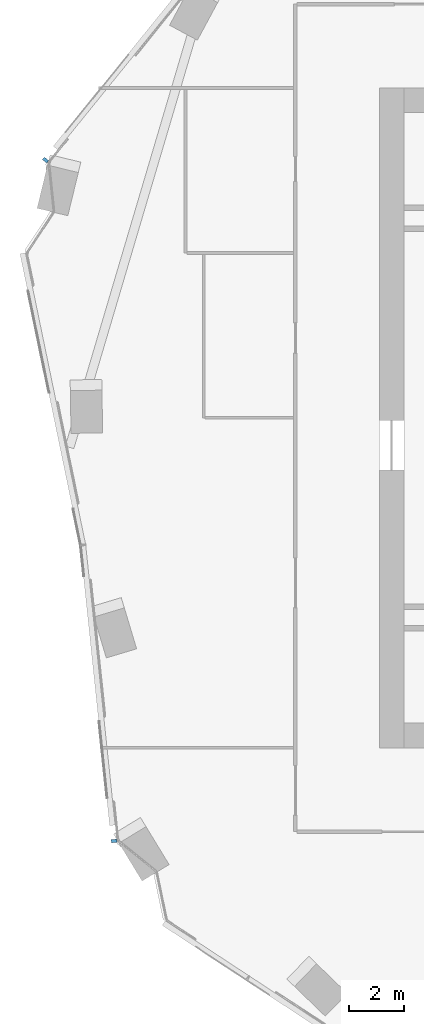
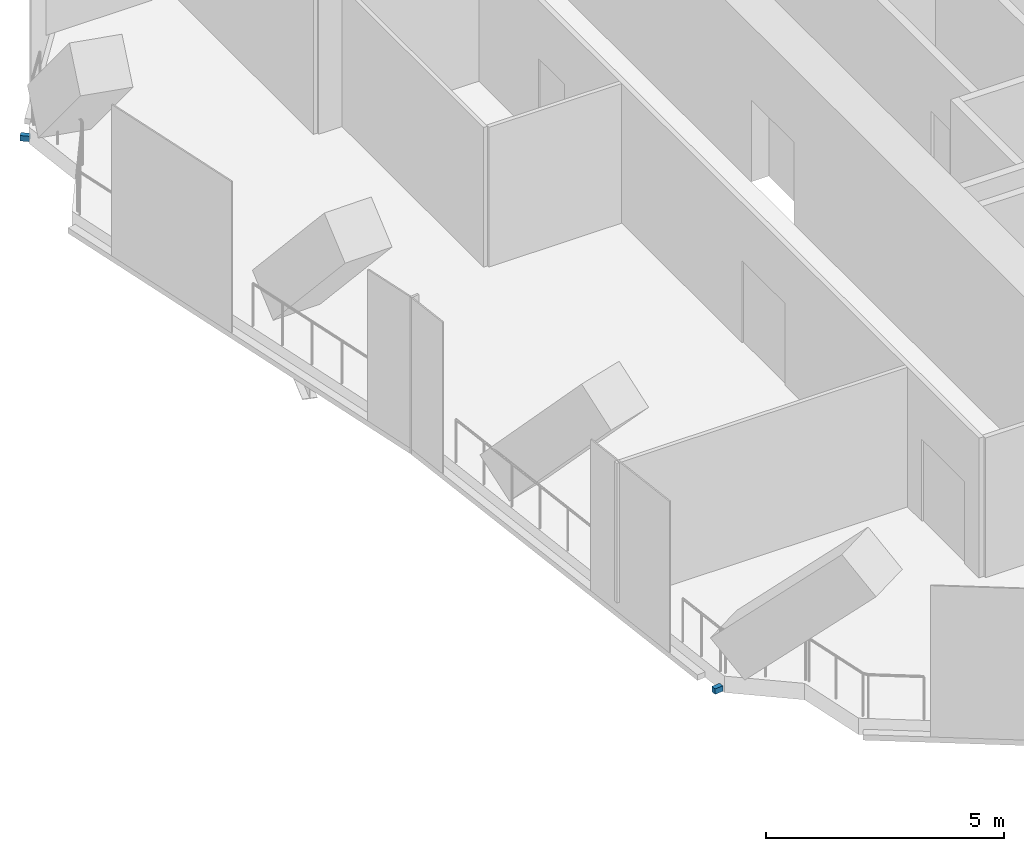
# One storey, part 12 of 26: 2 members, 2 elements without a shape of their own.
"""IFC4 building model written with IfcOpenShell, lengths in metres."""

import ifcopenshell
import ifcopenshell.guid

model = None  # the IFC model being written
_history = None  # IfcOwnerHistory: only IFC2X3 demands one
_inside = {}  # id of a spatial element -> (the spatial element, [elements in it])
_under = {}  # id of a project, library or spatial element -> (it, [spatial elements below it])
_declared = {}  # id of a project -> (the project, [libraries it declares])
_typed = {}  # id of a type object -> (the type object, [elements of that type])
_made_of = {}  # id of a material, layer set ... -> (it, [elements and type objects made of it])


def new_model(schema):
    """Start an empty IFC model of exactly this schema.

    Asked for "IFC4X3", IfcOpenShell would pick the latest addendum, in which some entities
    have other attributes; the version numbers below select the first issue.
    IFC2X3 requires an IfcOwnerHistory on every rooted entity: one is made here for all.
    """
    global model, _history
    if schema == "IFC4X3":
        model = ifcopenshell.file(schema_version=(4, 3, 0, 0))
    else:
        model = ifcopenshell.file(schema=schema)
    _inside.clear()
    _under.clear()
    _declared.clear()
    _typed.clear()
    _made_of.clear()
    _history = None
    if model.schema == "IFC2X3":
        org = make("IfcOrganization", Name="unknown")
        user = make(
            "IfcPersonAndOrganization",
            ThePerson=make("IfcPerson", FamilyName="unknown"),
            TheOrganization=org,
        )
        app = make(
            "IfcApplication",
            ApplicationDeveloper=org,
            Version="unknown",
            ApplicationFullName="unknown",
            ApplicationIdentifier="unknown",
        )
        _history = make(
            "IfcOwnerHistory",
            OwningUser=user,
            OwningApplication=app,
            ChangeAction="ADDED",
            CreationDate=0,
        )
    return model


def make(cls, **values):
    """One entity of the class cls with the attributes given. An attribute that is None is left unset."""
    return model.create_entity(
        cls, **{name: value for name, value in values.items() if value is not None}
    )


def rooted(cls, **values):
    """An entity with a GlobalId (a new one), such as an element, a storey or a relation."""
    return make(cls, GlobalId=ifcopenshell.guid.new(), OwnerHistory=_history, **values)


def si_unit(unit_type, name, prefix=None):
    """IfcSIUnit, for example si_unit("LENGTHUNIT", "METRE", prefix="MILLI")."""
    return make("IfcSIUnit", UnitType=unit_type, Prefix=prefix, Name=name)


def assignment(units):
    """IfcUnitAssignment: the units of a project."""
    return None if units is None else make("IfcUnitAssignment", Units=units)


def point(xyz):
    """IfcCartesianPoint."""
    return None if xyz is None else make("IfcCartesianPoint", Coordinates=xyz)


def direction(xyz):
    """IfcDirection."""
    return None if xyz is None else make("IfcDirection", DirectionRatios=xyz)


def frame(location, z_axis=None, x_axis=None):
    """IfcAxis2Placement3D, a coordinate frame: its origin and axes. An axis left out is left unset."""
    return make(
        "IfcAxis2Placement3D",
        Location=point(location),
        Axis=direction(z_axis),
        RefDirection=direction(x_axis),
    )


def frame_2d(location, x_axis=None):
    """IfcAxis2Placement2D, a coordinate frame in the plane: its origin and x axis."""
    return make(
        "IfcAxis2Placement2D", Location=point(location), RefDirection=direction(x_axis)
    )


def origin():
    """The frame at (0, 0, 0) with its axes left unset."""
    return frame((0.0, 0.0, 0.0))


def origin_2d():
    """The frame at (0, 0) in the plane with its x axis left unset."""
    return frame_2d((0.0, 0.0))


def place(relative_to, where):
    """IfcLocalPlacement: puts the frame where relative to a parent placement (None: the world)."""
    return make(
        "IfcLocalPlacement", PlacementRelTo=relative_to, RelativePlacement=where
    )


def context(
    kind, dimensions, precision=None, world=None, true_north=None, identifier=None
):
    """IfcGeometricRepresentationContext, for example the 3D "Model" context."""
    return make(
        "IfcGeometricRepresentationContext",
        ContextIdentifier=identifier,
        ContextType=kind,
        CoordinateSpaceDimension=dimensions,
        Precision=precision,
        WorldCoordinateSystem=world,
        TrueNorth=true_north,
    )


def subcontext(parent, identifier, kind, view, scale=None):
    """IfcGeometricRepresentationSubContext, for example "Body" below "Model"."""
    return make(
        "IfcGeometricRepresentationSubContext",
        ContextIdentifier=identifier,
        ContextType=kind,
        ParentContext=parent,
        TargetScale=scale,
        TargetView=view,
    )


def project(units=None, contexts=None):
    """IfcProject with its units and contexts."""
    return rooted(
        "IfcProject",
        Name="project",
        RepresentationContexts=contexts,
        UnitsInContext=assignment(units),
    )


def spatial(cls, under=None, at=None, **own):
    """A site, building, storey or space (cls), placed at a placement, below another one or the project."""
    s = rooted(cls, ObjectPlacement=at, **own)
    if under is not None:
        _under.setdefault(under.id(), (under, []))[1].append(s)
    return s


def profile(cls, at=None, kind="AREA", **sizes):
    """A parametric profile (cls). Its sizes go by their IFC names, for example OverallWidth=200.0."""
    return make(cls, ProfileType=kind, Position=at, **sizes)


def rectangle(**sizes):
    """IfcRectangleProfileDef."""
    return profile("IfcRectangleProfileDef", **sizes)


def extrude(swept, where, along, depth):
    """IfcExtrudedAreaSolid: the profile swept, set in the frame where, extruded along a direction by depth."""
    return make(
        "IfcExtrudedAreaSolid",
        SweptArea=swept,
        Position=where,
        ExtrudedDirection=direction(along),
        Depth=depth,
    )


def shape(context_of_items, identifier, shape_type, items):
    """IfcShapeRepresentation: the items that make up one representation, for example the "Body"."""
    return make(
        "IfcShapeRepresentation",
        ContextOfItems=context_of_items,
        RepresentationIdentifier=identifier,
        RepresentationType=shape_type,
        Items=items,
    )


def material(Name=None, Category=None):
    """IfcMaterial."""
    return make("IfcMaterial", Name=Name, Category=Category)


def material_profile(
    of_material, cross_section, Name=None, Category=None, Priority=None
):
    """IfcMaterialProfile: a cross section and its material."""
    return make(
        "IfcMaterialProfile",
        Name=Name,
        Material=of_material,
        Profile=cross_section,
        Priority=Priority,
        Category=Category,
    )


def profile_set(profiles, Name=None, composite=None):
    """IfcMaterialProfileSet."""
    return make(
        "IfcMaterialProfileSet",
        Name=Name,
        MaterialProfiles=profiles,
        CompositeProfile=composite,
    )


def made_of(thing, what):
    """Note that an element or type object is made of a material, layer set ...; save() writes the relation."""
    if what is not None:
        _made_of.setdefault(what.id(), (what, []))[1].append(thing)
    return thing


def type_object(cls, material=None, **own):
    """A type object (cls), such as IfcWallType, which elements share."""
    return made_of(rooted(cls, **own), material)


def element(
    cls,
    number,
    at=None,
    inside=None,
    cuts=None,
    type_object=None,
    material=None,
    context=None,
    identifier="Body",
    shape_type=None,
    held_by="IfcProductDefinitionShape",
    body=None,
    shapes=None,
    **own,
):
    """One element of the class cls, such as IfcWall. Its Tag is "e" and its number.

    at: its placement. inside: the storey or other place that contains it. cuts: it is an
    opening in that element (IfcRelVoidsElement). A single representation is given by context,
    identifier, shape_type and body (its items); several are given by shapes. held_by: the class
    of the entity that holds the representations. save() writes the other relations.
    """
    e = rooted(cls, Tag="e%d" % number, ObjectPlacement=at, **own)
    if body is not None:
        shapes = [shape(context, identifier, shape_type, body)]
    if shapes is not None:
        e.Representation = make(held_by, Representations=shapes)
    if inside is not None:
        _inside.setdefault(inside.id(), (inside, []))[1].append(e)
    if cuts is not None:
        rooted(
            "IfcRelVoidsElement", RelatingBuildingElement=cuts, RelatedOpeningElement=e
        )
    if type_object is not None:
        _typed.setdefault(type_object.id(), (type_object, []))[1].append(e)
    return made_of(e, material)


def aggregate(whole, parts):
    """IfcRelAggregates: a whole, such as a stair, and the parts it consists of."""
    return rooted("IfcRelAggregates", RelatingObject=whole, RelatedObjects=parts)


def save(model, path):
    """Write the relations noted so far, then the file.

    IfcRelAggregates (storeys below a building ...), IfcRelContainedInSpatialStructure (elements
    in a storey), IfcRelDefinesByType, IfcRelAssociatesMaterial and IfcRelDeclares: one each for
    every whole, place, type object, material and project.
    """
    for whole, parts in _under.values():
        aggregate(whole, parts)
    for where, things in _inside.values():
        rooted(
            "IfcRelContainedInSpatialStructure",
            RelatedElements=things,
            RelatingStructure=where,
        )
    for kind, things in _typed.values():
        rooted("IfcRelDefinesByType", RelatedObjects=things, RelatingType=kind)
    for what, things in _made_of.values():
        rooted("IfcRelAssociatesMaterial", RelatedObjects=things, RelatingMaterial=what)
    for by, libraries in _declared.values():
        rooted("IfcRelDeclares", RelatingContext=by, RelatedDefinitions=libraries)
    model.write(path)


model = new_model("IFC4")

# Units and contexts
model_context = context("Model", 3, precision=1e-05, world=origin(), true_north=direction((0.0, 1.0)))
body_context = subcontext(model_context, "Body", "Model", "MODEL_VIEW")
ifc_project = project(units=[si_unit("LENGTHUNIT", "METRE"), si_unit("AREAUNIT", "SQUARE_METRE"), si_unit("VOLUMEUNIT", "CUBIC_METRE"), si_unit("PLANEANGLEUNIT", "RADIAN"), si_unit("MASSUNIT", "GRAM", prefix="KILO")], contexts=[model_context])

# Site, building, storey
site_placement = place(None, origin())
site = spatial("IfcSite", under=ifc_project, at=site_placement, CompositionType="ELEMENT")
building_placement = place(site_placement, origin())
building = spatial("IfcBuilding", under=site, at=building_placement, Name="Orlundy Tower", CompositionType="ELEMENT")
storey_placement = place(building_placement, frame((0.0, 0.0, 228.0)))
storey = spatial("IfcBuildingStorey", under=building, at=storey_placement, Name="L60", CompositionType="ELEMENT", Elevation=228.0)

# Curtain wall, member
ifc_material_1 = material(Name="Aluminium bronze anodised", Category="aluminium")
curtain_wall_type = type_object("IfcCurtainWallType", Name="CW5 wall", PredefinedType="NOTDEFINED", material=ifc_material_1)
curtain_wall_1_placement = place(storey_placement, origin())
curtain_wall_1 = element("IfcCurtainWall", 1, at=curtain_wall_1_placement, inside=storey, type_object=curtain_wall_type, Name="CW5 run 03", PredefinedType="NOTDEFINED")
ifc_material_2 = material(Name="Aluminium bronze anodised", Category="aluminium")
ifc_material_profile = material_profile(ifc_material_2, rectangle(XDim=0.199951171875, YDim=0.139892578125, at=origin_2d()), Name="CW5 transom 200x140")
ifc_profile_set = profile_set([ifc_material_profile], Name="Aluminium bronze anodised")
member_type = type_object("IfcMemberType", Name="CW5 transom 200x140", PredefinedType="USERDEFINED", material=ifc_profile_set)
member_1_placement = place(storey_placement, frame((-28.642578125, -15.4462890625, -0.35009765625), z_axis=(-0.104467261141, 0.994528326067, 0.0), x_axis=(-0.994528326067, -0.104467261141, 0.0)))
member_1 = element("IfcMember", 2, at=member_1_placement, type_object=member_type, Name="CW5 transom", ObjectType="TRANSOM", PredefinedType="USERDEFINED", context=body_context, shape_type="SweptSolid", body=[
    extrude(rectangle(XDim=0.199951171875, YDim=0.139892578125, at=origin_2d()), origin(), (0.0, 0.0, 1.0), 0.116943359375),
])
aggregate(curtain_wall_1, [member_1])

curtain_wall_2_placement = place(storey_placement, origin())
curtain_wall_2 = element("IfcCurtainWall", 3, at=curtain_wall_2_placement, inside=storey, type_object=curtain_wall_type, Name="CW5 run 07", PredefinedType="NOTDEFINED")
member_2_placement = place(storey_placement, frame((-31.17578125, 9.33056640625, -0.35009765625), z_axis=(0.629801958421, 0.77675574872, 0.0), x_axis=(-0.77675574872, 0.629801958421, 0.0)))
member_2 = element("IfcMember", 4, at=member_2_placement, type_object=member_type, Name="CW5 transom", ObjectType="TRANSOM", PredefinedType="USERDEFINED", context=body_context, shape_type="SweptSolid", body=[
    extrude(rectangle(XDim=0.199951171875, YDim=0.139892578125, at=origin_2d()), origin(), (0.0, 0.0, 1.0), 0.1162109375),
])
aggregate(curtain_wall_2, [member_2])

save(model, "model.ifc")
